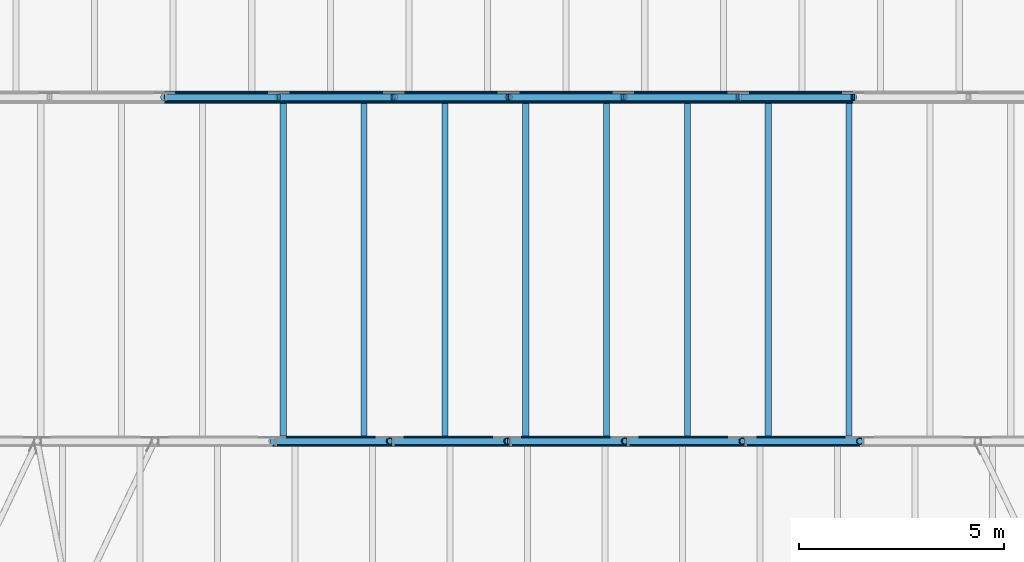
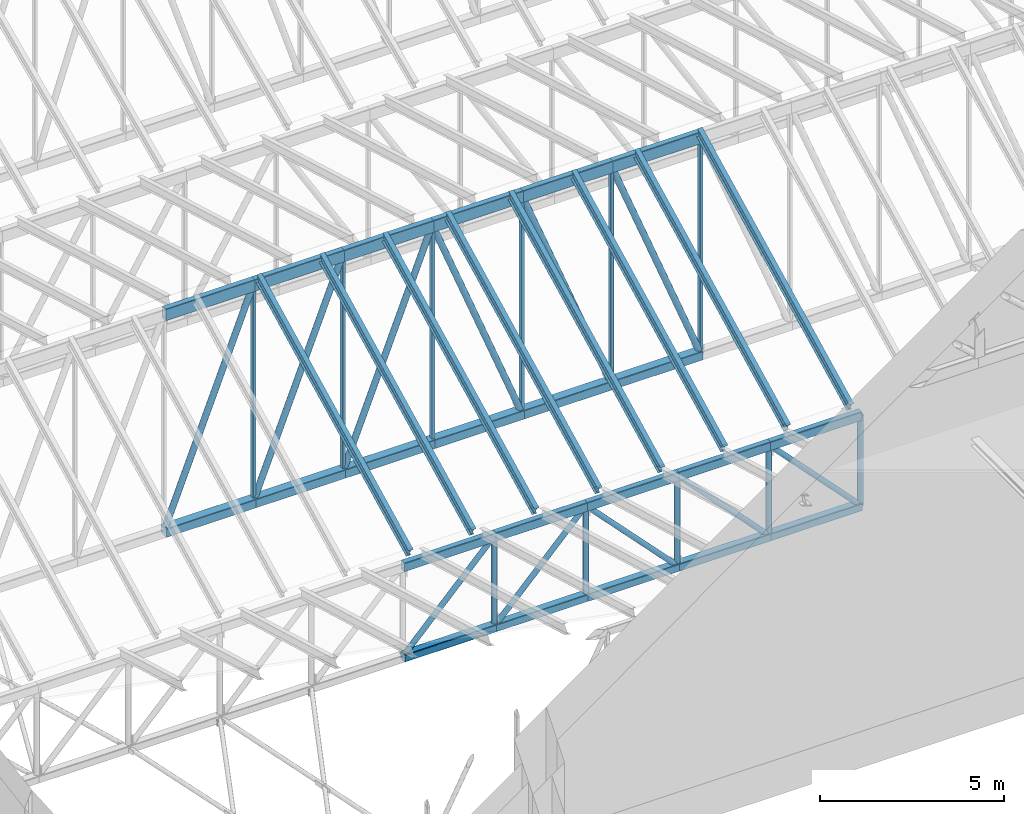
# One storey, part 18 of 68: 30 members, 22 beams.
"""IFC4 building model written with IfcOpenShell, lengths in metres."""

from ifc_helpers import new_model, si_unit, direction, frame, origin, origin_2d, place, context, subcontext, project, spatial, hollow_rectangle, hollow_circle, i_section, extrude, material, material_profile, profile_set, type_object, element, save


model = new_model("IFC4")

# Units and contexts
model_context = context("Model", 3, precision=1e-05, world=origin(), true_north=direction((0.0, 1.0)))
body_context = subcontext(model_context, "Body", "Model", "MODEL_VIEW")
ifc_project = project(units=[si_unit("LENGTHUNIT", "METRE"), si_unit("AREAUNIT", "SQUARE_METRE"), si_unit("VOLUMEUNIT", "CUBIC_METRE"), si_unit("PLANEANGLEUNIT", "RADIAN"), si_unit("MASSUNIT", "GRAM", prefix="KILO")], contexts=[model_context])

# Site, building, storey
site_placement = place(None, origin())
site = spatial("IfcSite", under=ifc_project, at=site_placement, CompositionType="ELEMENT")
building_placement = place(site_placement, origin())
building = spatial("IfcBuilding", under=site, at=building_placement, Name="Larchfold Concert Hall", CompositionType="ELEMENT")
storey_placement = place(building_placement, frame((0.0, 0.0, 28.800048828125)))
storey = spatial("IfcBuildingStorey", under=building, at=storey_placement, Name="L06", CompositionType="ELEMENT", Elevation=28.800048828125)

# Members
ifc_material_1 = material(Name="Steel S355", Category="steel")
ifc_material_profile_1 = material_profile(ifc_material_1, i_section(OverallWidth=0.14990234375, OverallDepth=0.300048828125, WebThickness=0.007080078125, FlangeThickness=0.0107421875, FilletRadius=0.014892578125, at=origin_2d()))
ifc_profile_set_1 = profile_set([ifc_material_profile_1], Name="Steel S355")
member_type_1 = type_object("IfcMemberType", Name="Rafter IPE 300", PredefinedType="RAFTER", material=ifc_profile_set_1)
for number, where, z_axis, x_axis, name in (
    (1, (35.691650390625, 68.47998046875, 3.291748046875), (0.0, 0.892286189567, 0.451470215971), (-1.0, 0.0, 0.0), "Member RF0026"),
    (2, (37.66552734375, 68.47998046875, 3.291748046875), (0.0, 0.892286189567, 0.451470215971), (-1.0, 0.0, 0.0), "Member RF0027"),
    (3, (39.639404296875, 68.47998046875, 3.291748046875), (0.0, 0.892286189567, 0.451470215971), (-1.0, 0.0, 0.0), "Member RF0028"),
    (4, (41.61328125, 68.47998046875, 3.291748046875), (0.0, 0.892286189567, 0.451470215971), (-1.0, 0.0, 0.0), "Member RF0029"),
    (5, (43.5869140625, 68.47998046875, 3.291748046875), (0.0, 0.892286189567, 0.451470215971), (-1.0, 0.0, 0.0), "Member RF0030"),
    (6, (45.560791015625, 68.47998046875, 3.291748046875), (0.0, 0.892286189567, 0.451470215971), (-1.0, 0.0, 0.0), "Member RF0031"),
    (7, (47.53466796875, 68.47998046875, 3.291748046875), (0.0, 0.892286189567, 0.451470215971), (-1.0, 0.0, 0.0), "Member RF0032"),
    (8, (49.508544921875, 68.47998046875, 3.291748046875), (0.0, 0.892286189567, 0.451470215971), (-1.0, 0.0, 0.0), "Member RF0033"),
):
    element("IfcMember", number, at=place(storey_placement, frame(where, z_axis=z_axis, x_axis=x_axis)), inside=storey, type_object=member_type_1, Name=name, PredefinedType="RAFTER", context=body_context, shape_type="SweptSolid", body=[
        extrude(i_section(OverallWidth=0.14990234375, OverallDepth=0.300048828125, WebThickness=0.007080078125, FlangeThickness=0.0107421875, FilletRadius=0.014892578125, at=origin_2d()), origin(), (0.0, 0.0, 1.0), 9.234619140625),
    ])

# Beams
ifc_material_2 = material(Name="Steel S355J2H", Category="steel")
ifc_material_profile_2 = material_profile(ifc_material_2, hollow_rectangle(XDim=0.199951171875, YDim=0.300048828125, WallThickness=0.012451171875, InnerFilletRadius=0.018798828125, OuterFilletRadius=0.03125, at=origin_2d()))
ifc_profile_set_2 = profile_set([ifc_material_profile_2], Name="Steel S355J2H")
beam_type_1 = type_object("IfcBeamType", Name="Truss chord RHS 300x200x12.5", PredefinedType="BEAM", material=ifc_profile_set_2)
for number, where, z_axis, x_axis, name in (
    (9, (35.4248046875, 68.39990234375, 3.0), (1.0, 0.0, 0.0), (0.0, 1.0, 0.0), "Beam FT2T06"),
    (10, (38.294921875, 68.39990234375, 3.0), (1.0, 0.0, 0.0), (0.0, 1.0, 0.0), "Beam FT2T07"),
    (11, (41.1650390625, 68.39990234375, 3.0), (1.0, 0.0, 0.0), (0.0, 1.0, 0.0), "Beam FT2T08"),
    (12, (44.03515625, 68.39990234375, 3.0), (1.0, 0.0, 0.0), (0.0, 1.0, 0.0), "Beam FT2T09"),
    (13, (46.9052734375, 68.39990234375, 3.0), (1.0, 0.0, 0.0), (0.0, 1.0, 0.0), "Beam FT2T10"),
):
    element("IfcBeam", number, at=place(storey_placement, frame(where, z_axis=z_axis, x_axis=x_axis)), inside=storey, type_object=beam_type_1, Name=name, PredefinedType="BEAM", context=body_context, shape_type="SweptSolid", body=[
        extrude(hollow_rectangle(XDim=0.199951171875, YDim=0.300048828125, WallThickness=0.012451171875, InnerFilletRadius=0.018798828125, OuterFilletRadius=0.03125, at=origin_2d()), origin(), (0.0, 0.0, 1.0), 2.8701171875),
    ])
ifc_material_3 = material(Name="Steel S355J2H", Category="steel")
ifc_material_profile_3 = material_profile(ifc_material_3, hollow_rectangle(XDim=0.199951171875, YDim=0.39990234375, WallThickness=0.012451171875, InnerFilletRadius=0.018798828125, OuterFilletRadius=0.03125, at=origin_2d()))
ifc_profile_set_3 = profile_set([ifc_material_profile_3], Name="Steel S355J2H")
beam_type_2 = type_object("IfcBeamType", Name="Truss chord RHS 400x200x12.5", PredefinedType="BEAM", material=ifc_profile_set_3)
for number, where, z_axis, x_axis, name in (
    (14, (32.785400390625, 76.800048828125, 7.199951171875), (1.0, 0.0, 0.0), (0.0, 1.0, 0.0), "Beam FT3T06"),
    (15, (35.589599609375, 76.800048828125, 7.199951171875), (1.0, 0.0, 0.0), (0.0, 1.0, 0.0), "Beam FT3T07"),
    (16, (38.393798828125, 76.800048828125, 7.199951171875), (1.0, 0.0, 0.0), (0.0, 1.0, 0.0), "Beam FT3T08"),
    (17, (41.197998046875, 76.800048828125, 7.199951171875), (1.0, 0.0, 0.0), (0.0, 1.0, 0.0), "Beam FT3T09"),
    (18, (44.002197265625, 76.800048828125, 7.199951171875), (1.0, 0.0, 0.0), (0.0, 1.0, 0.0), "Beam FT3T10"),
    (19, (46.806396484375, 76.800048828125, 7.199951171875), (1.0, 0.0, 0.0), (0.0, 1.0, 0.0), "Beam FT3T11"),
):
    element("IfcBeam", number, at=place(storey_placement, frame(where, z_axis=z_axis, x_axis=x_axis)), inside=storey, type_object=beam_type_2, Name=name, PredefinedType="BEAM", context=body_context, shape_type="SweptSolid", body=[
        extrude(hollow_rectangle(XDim=0.199951171875, YDim=0.39990234375, WallThickness=0.012451171875, InnerFilletRadius=0.018798828125, OuterFilletRadius=0.03125, at=origin_2d()), origin(), (0.0, 0.0, 1.0), 2.80419921875),
    ])

# Members
ifc_material_4 = material(Name="Steel S355J2H", Category="steel")
ifc_material_profile_4 = material_profile(ifc_material_4, hollow_circle(Radius=0.084228515625, WallThickness=0.008056640625, at=origin_2d()))
ifc_profile_set_4 = profile_set([ifc_material_profile_4], Name="Steel S355J2H")
member_type_2 = type_object("IfcMemberType", Name="Truss post CHS 168.3x8", PredefinedType="POST", material=ifc_profile_set_4)
for number, where, z_axis, x_axis, name in (
    (20, (38.294921875, 68.39990234375, 3.0), (0.0, 0.0, -1.0), (1.0, 0.0, 0.0), "Member FT2V07"),
    (21, (41.1650390625, 68.39990234375, 3.0), (0.0, 0.0, -1.0), (1.0, 0.0, 0.0), "Member FT2V08"),
    (22, (44.03515625, 68.39990234375, 3.0), (0.0, 0.0, -1.0), (1.0, 0.0, 0.0), "Member FT2V09"),
    (23, (46.9052734375, 68.39990234375, 3.0), (0.0, 0.0, -1.0), (1.0, 0.0, 0.0), "Member FT2V10"),
    (24, (49.775390625, 68.39990234375, 3.0), (0.0, 0.0, -1.0), (1.0, 0.0, 0.0), "Member FT2V11"),
):
    element("IfcMember", number, at=place(storey_placement, frame(where, z_axis=z_axis, x_axis=x_axis)), inside=storey, type_object=member_type_2, Name=name, PredefinedType="POST", context=body_context, shape_type="SweptSolid", body=[
        extrude(hollow_circle(Radius=0.084228515625, WallThickness=0.008056640625, at=origin_2d()), origin(), (0.0, 0.0, 1.0), 3.0),
    ])
ifc_material_5 = material(Name="Steel S355J2H", Category="steel")
ifc_material_profile_5 = material_profile(ifc_material_5, hollow_rectangle(XDim=0.10009765625, YDim=0.14990234375, WallThickness=0.008056640625, InnerFilletRadius=0.008056640625, OuterFilletRadius=0.01611328125, at=origin_2d()))
ifc_profile_set_5 = profile_set([ifc_material_profile_5], Name="Steel S355J2H")
member_type_3 = type_object("IfcMemberType", Name="Truss post RHS 150x100x8", PredefinedType="POST", material=ifc_profile_set_5)
for number, where, z_axis, x_axis, name in (
    (25, (35.589599609375, 76.800048828125, 7.199951171875), (0.0, 0.0, -1.0), (1.0, 0.0, 0.0), "Member FT3V07"),
    (26, (38.393798828125, 76.800048828125, 7.199951171875), (0.0, 0.0, -1.0), (1.0, 0.0, 0.0), "Member FT3V08"),
    (27, (41.197998046875, 76.800048828125, 7.199951171875), (0.0, 0.0, -1.0), (1.0, 0.0, 0.0), "Member FT3V09"),
    (28, (44.002197265625, 76.800048828125, 7.199951171875), (0.0, 0.0, -1.0), (1.0, 0.0, 0.0), "Member FT3V10"),
    (29, (46.806396484375, 76.800048828125, 7.199951171875), (0.0, 0.0, -1.0), (1.0, 0.0, 0.0), "Member FT3V11"),
    (30, (49.610595703125, 76.800048828125, 7.199951171875), (0.0, 0.0, -1.0), (1.0, 0.0, 0.0), "Member FT3V12"),
):
    element("IfcMember", number, at=place(storey_placement, frame(where, z_axis=z_axis, x_axis=x_axis)), inside=storey, type_object=member_type_3, Name=name, PredefinedType="POST", context=body_context, shape_type="SweptSolid", body=[
        extrude(hollow_rectangle(XDim=0.10009765625, YDim=0.14990234375, WallThickness=0.008056640625, InnerFilletRadius=0.008056640625, OuterFilletRadius=0.01611328125, at=origin_2d()), origin(), (0.0, 0.0, 1.0), 7.199951171875),
    ])

# Beams
ifc_material_6 = material(Name="Steel S355J2H", Category="steel")
ifc_material_profile_6 = material_profile(ifc_material_6, hollow_rectangle(XDim=0.25, YDim=0.25, WallThickness=0.012451171875, InnerFilletRadius=0.018798828125, OuterFilletRadius=0.03125, at=origin_2d()))
ifc_profile_set_6 = profile_set([ifc_material_profile_6], Name="Steel S355J2H")
beam_type_3 = type_object("IfcBeamType", Name="Truss tie SHS 250x250x12.5", PredefinedType="BEAM", material=ifc_profile_set_6)
for number, where, z_axis, x_axis, name in (
    (31, (35.4248046875, 68.39990234375, 0.0), (1.0, 0.0, 0.0), (0.0, 1.0, 0.0), "Beam FT2B06"),
    (32, (38.294921875, 68.39990234375, 0.0), (1.0, 0.0, 0.0), (0.0, 1.0, 0.0), "Beam FT2B07"),
    (33, (41.1650390625, 68.39990234375, 0.0), (1.0, 0.0, 0.0), (0.0, 1.0, 0.0), "Beam FT2B08"),
    (34, (44.03515625, 68.39990234375, 0.0), (1.0, 0.0, 0.0), (0.0, 1.0, 0.0), "Beam FT2B09"),
    (35, (46.9052734375, 68.39990234375, 0.0), (1.0, 0.0, 0.0), (0.0, 1.0, 0.0), "Beam FT2B10"),
):
    element("IfcBeam", number, at=place(storey_placement, frame(where, z_axis=z_axis, x_axis=x_axis)), inside=storey, type_object=beam_type_3, Name=name, PredefinedType="BEAM", context=body_context, shape_type="SweptSolid", body=[
        extrude(hollow_rectangle(XDim=0.25, YDim=0.25, WallThickness=0.012451171875, InnerFilletRadius=0.018798828125, OuterFilletRadius=0.03125, at=origin_2d()), origin(), (0.0, 0.0, 1.0), 2.8701171875),
    ])
ifc_material_7 = material(Name="Steel S355J2H", Category="steel")
ifc_material_profile_7 = material_profile(ifc_material_7, hollow_rectangle(XDim=0.300048828125, YDim=0.300048828125, WallThickness=0.012451171875, InnerFilletRadius=0.018798828125, OuterFilletRadius=0.03125, at=origin_2d()))
ifc_profile_set_7 = profile_set([ifc_material_profile_7], Name="Steel S355J2H")
beam_type_4 = type_object("IfcBeamType", Name="Truss tie SHS 300x300x12.5", PredefinedType="BEAM", material=ifc_profile_set_7)
for number, where, z_axis, x_axis, name in (
    (36, (32.785400390625, 76.800048828125, 0.0), (1.0, 0.0, 0.0), (0.0, 1.0, 0.0), "Beam FT3B06"),
    (37, (35.589599609375, 76.800048828125, 0.0), (1.0, 0.0, 0.0), (0.0, 1.0, 0.0), "Beam FT3B07"),
    (38, (38.393798828125, 76.800048828125, 0.0), (1.0, 0.0, 0.0), (0.0, 1.0, 0.0), "Beam FT3B08"),
    (39, (41.197998046875, 76.800048828125, 0.0), (1.0, 0.0, 0.0), (0.0, 1.0, 0.0), "Beam FT3B09"),
    (40, (44.002197265625, 76.800048828125, 0.0), (1.0, 0.0, 0.0), (0.0, 1.0, 0.0), "Beam FT3B10"),
    (41, (46.806396484375, 76.800048828125, 0.0), (1.0, 0.0, 0.0), (0.0, 1.0, 0.0), "Beam FT3B11"),
):
    element("IfcBeam", number, at=place(storey_placement, frame(where, z_axis=z_axis, x_axis=x_axis)), inside=storey, type_object=beam_type_4, Name=name, PredefinedType="BEAM", context=body_context, shape_type="SweptSolid", body=[
        extrude(hollow_rectangle(XDim=0.300048828125, YDim=0.300048828125, WallThickness=0.012451171875, InnerFilletRadius=0.018798828125, OuterFilletRadius=0.03125, at=origin_2d()), origin(), (0.0, 0.0, 1.0), 2.80419921875),
    ])

# Members
ifc_material_8 = material(Name="Steel S355J2H", Category="steel")
ifc_material_profile_8 = material_profile(ifc_material_8, hollow_circle(Radius=0.084228515625, WallThickness=0.008056640625, at=origin_2d()))
ifc_profile_set_8 = profile_set([ifc_material_profile_8], Name="Steel S355J2H")
member_type_4 = type_object("IfcMemberType", Name="Truss web CHS 168.3x8", PredefinedType="BRACE", material=ifc_profile_set_8)
for number, where, z_axis, x_axis, name in (
    (42, (35.4248046875, 68.39990234375, 0.0), (0.691292069031, 0.0, 0.722575446092), (0.0, 1.0, 0.0), "Member FT2D06"),
    (43, (38.294921875, 68.39990234375, 0.0), (0.691292069031, 0.0, 0.722575446092), (0.0, 1.0, 0.0), "Member FT2D07"),
    (44, (41.1650390625, 68.39990234375, 3.0), (0.691292069031, 0.0, -0.722575446092), (0.0, 1.0, 0.0), "Member FT2D08"),
    (45, (44.03515625, 68.39990234375, 3.0), (0.691292069031, 0.0, -0.722575446092), (0.0, 1.0, 0.0), "Member FT2D09"),
    (46, (46.9052734375, 68.39990234375, 3.0), (0.691292069031, 0.0, -0.722575446092), (0.0, 1.0, 0.0), "Member FT2D10"),
):
    element("IfcMember", number, at=place(storey_placement, frame(where, z_axis=z_axis, x_axis=x_axis)), inside=storey, type_object=member_type_4, Name=name, PredefinedType="BRACE", context=body_context, shape_type="SweptSolid", body=[
        extrude(hollow_circle(Radius=0.084228515625, WallThickness=0.008056640625, at=origin_2d()), origin(), (0.0, 0.0, 1.0), 4.15185546875),
    ])
ifc_material_9 = material(Name="Steel S355J2H", Category="steel")
ifc_material_profile_9 = material_profile(ifc_material_9, hollow_circle(Radius=0.096923828125, WallThickness=0.008056640625, at=origin_2d()))
ifc_profile_set_9 = profile_set([ifc_material_profile_9], Name="Steel S355J2H")
member_type_5 = type_object("IfcMemberType", Name="Truss web CHS 193.7x8", PredefinedType="BRACE", material=ifc_profile_set_9)
for number, where, z_axis, x_axis, name in (
    (47, (32.785400390625, 76.800048828125, 0.0), (0.362920419815, 0.0, 0.931820137624), (0.0, 1.0, 0.0), "Member FT3D06"),
    (48, (35.589599609375, 76.800048828125, 0.0), (0.362920419815, 0.0, 0.931820137624), (0.0, 1.0, 0.0), "Member FT3D07"),
    (49, (38.393798828125, 76.800048828125, 0.0), (0.362920419815, 0.0, 0.931820137624), (0.0, 1.0, 0.0), "Member FT3D08"),
    (50, (41.197998046875, 76.800048828125, 7.199951171875), (0.362920419815, 0.0, -0.931820137624), (0.0, 1.0, 0.0), "Member FT3D09"),
    (51, (44.002197265625, 76.800048828125, 7.199951171875), (0.362920419815, 0.0, -0.931820137624), (0.0, 1.0, 0.0), "Member FT3D10"),
    (52, (46.806396484375, 76.800048828125, 7.199951171875), (0.362920419815, 0.0, -0.931820137624), (0.0, 1.0, 0.0), "Member FT3D11"),
):
    element("IfcMember", number, at=place(storey_placement, frame(where, z_axis=z_axis, x_axis=x_axis)), inside=storey, type_object=member_type_5, Name=name, PredefinedType="BRACE", context=body_context, shape_type="SweptSolid", body=[
        extrude(hollow_circle(Radius=0.096923828125, WallThickness=0.008056640625, at=origin_2d()), origin(), (0.0, 0.0, 1.0), 7.726806640625),
    ])

save(model, "model.ifc")
